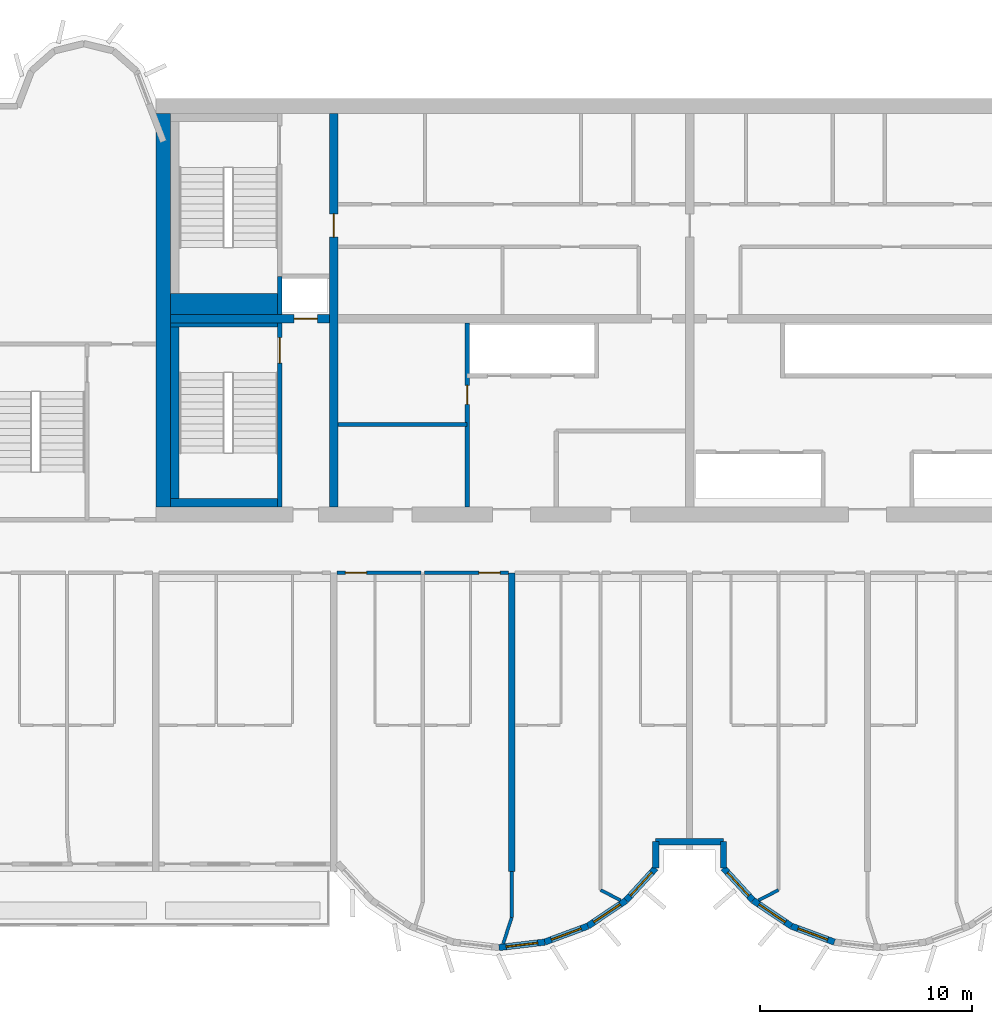
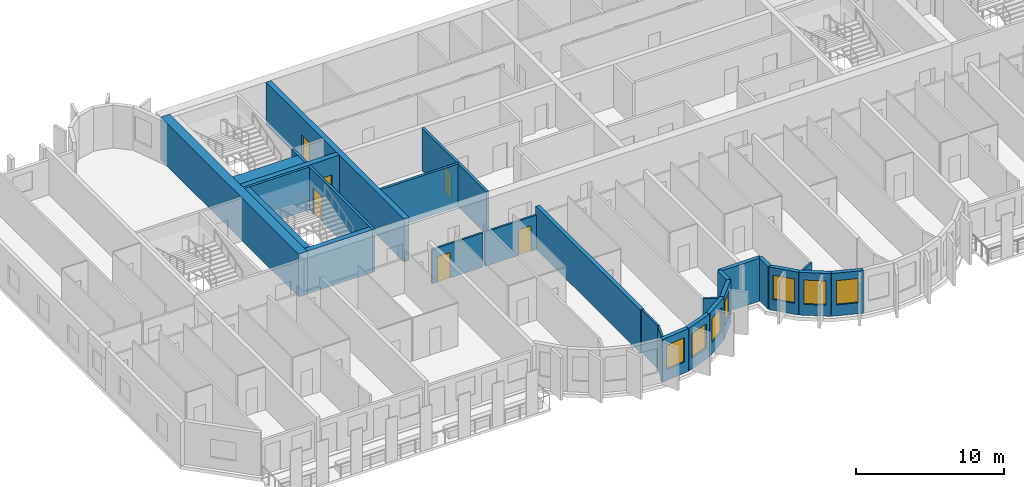
# One storey, part 4 of 13: 28 walls, 7 windows, 6 doors, 13 openings.
"""IFC4 building model written with IfcOpenShell, lengths in metres."""

from ifc_helpers import new_model, si_unit, direction, frame, frame_2d, origin, place, context, subcontext, project, spatial, rectangle, extrude, source, transform, mapped, material, layer, layer_set, type_object, element, fill, save


model = new_model("IFC4")

# Units and contexts
model_context = context("Model", 3, precision=1e-05, world=origin(), true_north=direction((0.0, 1.0)))
body_context = subcontext(model_context, "Body", "Model", "MODEL_VIEW")
ifc_project = project(units=[si_unit("LENGTHUNIT", "METRE"), si_unit("AREAUNIT", "SQUARE_METRE"), si_unit("VOLUMEUNIT", "CUBIC_METRE"), si_unit("PLANEANGLEUNIT", "RADIAN"), si_unit("MASSUNIT", "GRAM", prefix="KILO")], contexts=[model_context])

# Site, building, storey
site_placement = place(None, origin())
site = spatial("IfcSite", under=ifc_project, at=site_placement, CompositionType="ELEMENT")
building_placement = place(site_placement, origin())
building = spatial("IfcBuilding", under=site, at=building_placement, Name="Vanashikhar Sky Hotel", CompositionType="ELEMENT")
storey_placement = place(building_placement, frame((0.0, 0.0, 174.39990234375)))
storey = spatial("IfcBuildingStorey", under=building, at=storey_placement, Name="L42", CompositionType="ELEMENT", Elevation=174.39990234375)

# Wall, opening, door
ifc_material_1 = material(Name="Concrete M60", Category="concrete")
ifc_layer_1 = layer(ifc_material_1, 0.39990234375)
ifc_layer_set_1 = layer_set([ifc_layer_1], Name="RC core inner wall 400 Concrete M60")
wall_type_1 = type_object("IfcWallType", Name="RC core inner wall 400 Concrete M60", PredefinedType="SHEAR", material=ifc_layer_set_1)
shared_shape_1 = source(origin(), body_context, "Body", "SweptSolid", [
    extrude(rectangle(XDim=18.60009765625, YDim=0.39990234375, at=frame_2d((9.300048828125, 0.0))), origin(), (0.0, 0.0, 1.0), 3.52001953125),
])
wall_1_placement = place(storey_placement, frame((33.60009765625, 22.699951171875, 0.0), z_axis=(0.0, 0.0, 1.0), x_axis=(0.0, 1.0, 0.0)))
wall_1 = element("IfcWall", 1, at=wall_1_placement, inside=storey, type_object=wall_type_1, Name="KW-L42-KX1", PredefinedType="SHEAR", context=body_context, shape_type="MappedRepresentation", body=[
    mapped(shared_shape_1, transform((0.0, 0.0, 0.0), scale=1.0)),
])
shared_shape_2 = source(origin(), body_context, "Body", "SweptSolid", [
    extrude(rectangle(XDim=1.10009765625, YDim=2.10009765625, at=frame_2d((0.550048828125, 1.050048828125))), frame((0.0, 0.2099609375, 0.0), z_axis=(0.0, -1.0, 0.0), x_axis=(1.0, 0.0, 0.0)), (0.0, 0.0, 1.0), 0.419921875),
])
opening_1_placement = place(wall_1_placement, frame((12.75, 0.0, 0.0)))
opening_1 = element("IfcOpeningElement", 2, at=opening_1_placement, cuts=wall_1, Name="Opening DC-4-C", PredefinedType="OPENING", context=body_context, shape_type="MappedRepresentation", body=[
    mapped(shared_shape_2, transform((0.0, 0.0, 0.0), scale=1.0)),
])
ifc_material_2 = material(Name="Steel", Category="steel")
door_type_1 = type_object("IfcDoorType", Name="Service door 1100 FD60", OperationType="NOTDEFINED", PredefinedType="DOOR", material=ifc_material_2)
shared_shape_3 = source(origin(), body_context, "Body", "SweptSolid", [
    extrude(rectangle(XDim=1.10009765625, YDim=2.10009765625, at=frame_2d((0.550048828125, 1.050048828125))), frame((0.0, 0.02490234375, 0.0), z_axis=(0.0, -1.0, 0.0), x_axis=(1.0, 0.0, 0.0)), (0.0, 0.0, 1.0), 0.050048828125),
])
door_1_placement = place(opening_1_placement, origin())
door_1 = element("IfcDoor", 3, at=door_1_placement, inside=storey, type_object=door_type_1, Name="Service door 1100 FD60", OperationType="SINGLE_SWING_RIGHT", OverallHeight=2.10009765625, OverallWidth=1.10009765625, PredefinedType="DOOR", context=body_context, shape_type="MappedRepresentation", body=[
    mapped(shared_shape_3, transform((0.0, 0.0, 0.0), scale=1.0)),
])
fill(opening_1, door_1)

# Wall
ifc_layer_2 = layer(ifc_material_1, 0.699951171875)
ifc_layer_set_2 = layer_set([ifc_layer_2], Name="RC core shell wall 700 Concrete M60")
wall_type_2 = type_object("IfcWallType", Name="RC core shell wall 700 Concrete M60", PredefinedType="SHEAR", material=ifc_layer_set_2)
shared_shape_4 = source(origin(), body_context, "Body", "SweptSolid", [
    extrude(rectangle(XDim=18.60009765625, YDim=0.699951171875, at=frame_2d((9.300048828125, 0.0))), origin(), (0.0, 0.0, 1.0), 3.52001953125),
])
wall_2_placement = place(storey_placement, frame((25.550048828125, 22.699951171875, 0.0), z_axis=(0.0, 0.0, 1.0), x_axis=(0.0, 1.0, 0.0)))
element("IfcWall", 4, at=wall_2_placement, inside=storey, type_object=wall_type_2, Name="KW-L42-KW", PredefinedType="SHEAR", context=body_context, shape_type="MappedRepresentation", body=[
    mapped(shared_shape_4, transform((0.0, 0.0, 0.0), scale=1.0)),
])

# Wall, opening, door
shared_shape_5 = source(origin(), body_context, "Body", "SweptSolid", [
    extrude(rectangle(XDim=7.5, YDim=0.39990234375, at=frame_2d((3.75, 0.0))), origin(), (0.0, 0.0, 1.0), 3.52001953125),
])
wall_3_placement = place(storey_placement, frame((25.89990234375, 31.60009765625, 0.0), z_axis=(0.0, 0.0, 1.0), x_axis=(1.0, 0.0, 0.0)))
wall_3 = element("IfcWall", 5, at=wall_3_placement, inside=storey, type_object=wall_type_1, Name="KW-L42-KY1", PredefinedType="SHEAR", context=body_context, shape_type="MappedRepresentation", body=[
    mapped(shared_shape_5, transform((0.0, 0.0, 0.0), scale=1.0)),
])
opening_2_placement = place(wall_3_placement, frame((5.824951171875, 0.0, 0.0)))
opening_2 = element("IfcOpeningElement", 6, at=opening_2_placement, cuts=wall_3, Name="Opening LD", PredefinedType="OPENING", context=body_context, shape_type="MappedRepresentation", body=[
    mapped(shared_shape_2, transform((0.0, 0.0, 0.0), scale=1.0)),
])
ifc_material_3 = material(Name="Stainless steel", Category="steel")
door_type_2 = type_object("IfcDoorType", Name="Lift landing door 1100", OperationType="NOTDEFINED", PredefinedType="DOOR", material=ifc_material_3)
door_2_placement = place(opening_2_placement, origin())
door_2 = element("IfcDoor", 7, at=door_2_placement, inside=storey, type_object=door_type_2, Name="Lift landing door 1100", OperationType="SLIDING_TO_LEFT", OverallHeight=2.10009765625, OverallWidth=1.10009765625, PredefinedType="DOOR", context=body_context, shape_type="MappedRepresentation", body=[
    mapped(shared_shape_3, transform((0.0, 0.0, 0.0), scale=1.0)),
])
fill(opening_2, door_2)

# Wall
ifc_layer_3 = layer(ifc_material_1, 0.300048828125)
ifc_layer_set_3 = layer_set([ifc_layer_3], Name="RC shear wall 300 Concrete M60")
wall_type_3 = type_object("IfcWallType", Name="RC shear wall 300 Concrete M60", PredefinedType="SHEAR", material=ifc_layer_set_3)
shared_shape_6 = source(origin(), body_context, "Body", "SweptSolid", [
    extrude(rectangle(XDim=14.10009765625, YDim=0.300048828125, at=frame_2d((7.050048828125, 0.0))), origin(), (0.0, 0.0, 1.0), 3.52001953125),
])
wall_4_placement = place(storey_placement, frame((42.0, 5.5, 0.0), z_axis=(0.0, 0.0, 1.0), x_axis=(0.0, 1.0, 0.0)))
element("IfcWall", 8, at=wall_4_placement, inside=storey, type_object=wall_type_3, Name="CW-L42-XW06-1", PredefinedType="SHEAR", context=body_context, shape_type="MappedRepresentation", body=[
    mapped(shared_shape_6, transform((0.0, 0.0, 0.0), scale=1.0)),
])

# Wall, opening, window
ifc_material_4 = material(Name="Concrete M50", Category="concrete")
ifc_layer_4 = layer(ifc_material_4, 0.300048828125)
ifc_layer_set_4 = layer_set([ifc_layer_4], Name="Lobe wall 300")
wall_type_4 = type_object("IfcWallType", Name="Lobe wall 300", PredefinedType="SOLIDWALL", material=ifc_layer_set_4)
shared_shape_7 = source(origin(), body_context, "Body", "SweptSolid", [
    extrude(rectangle(XDim=2.17578125, YDim=0.300048828125, at=frame_2d((1.087890625, 0.0))), origin(), (0.0, 0.0, 1.0), 3.52001953125),
])
wall_5_placement = place(storey_placement, frame((45.59912109375, 2.91650390625, 0.0), z_axis=(0.0, 0.0, 1.0), x_axis=(0.829625727223, 0.558319937607, 0.0)))
wall_5 = element("IfcWall", 9, at=wall_5_placement, inside=storey, type_object=wall_type_4, Name="Lobe wall", PredefinedType="SOLIDWALL", context=body_context, shape_type="MappedRepresentation", body=[
    mapped(shared_shape_7, transform((0.0, 0.0, 0.0), scale=1.0)),
])
shared_shape_8 = source(origin(), body_context, "Body", "SweptSolid", [
    extrude(rectangle(XDim=1.5, YDim=2.0, at=frame_2d((0.75, 1.0))), frame((0.0, 0.16015625, 0.0), z_axis=(0.0, -1.0, 0.0), x_axis=(1.0, 0.0, 0.0)), (0.0, 0.0, 1.0), 0.320068359375),
])
opening_3_placement = place(wall_5_placement, frame((0.337890625, 0.0, 0.89990234375)))
opening_3 = element("IfcOpeningElement", 10, at=opening_3_placement, cuts=wall_5, Name="Opening WN-2", PredefinedType="OPENING", context=body_context, shape_type="MappedRepresentation", body=[
    mapped(shared_shape_8, transform((0.0, 0.0, 0.0), scale=1.0)),
])
ifc_material_5 = material(Name="Glass", Category="glass")
window_type = type_object("IfcWindowType", Name="Lobe window 1500 x 2000", PartitioningType="SINGLE_PANEL", PredefinedType="WINDOW", material=ifc_material_5)
shared_shape_9 = source(origin(), body_context, "Body", "SweptSolid", [
    extrude(rectangle(XDim=1.5, YDim=2.0, at=frame_2d((0.75, 1.0))), frame((0.0, 0.030029296875, 0.0), z_axis=(0.0, -1.0, 0.0), x_axis=(1.0, 0.0, 0.0)), (0.0, 0.0, 1.0), 0.06005859375),
])
window_1_placement = place(opening_3_placement, origin())
window_1 = element("IfcWindow", 11, at=window_1_placement, inside=storey, type_object=window_type, Name="Window WN-2", OverallHeight=2.0, OverallWidth=1.5, PartitioningType="SINGLE_PANEL", PredefinedType="WINDOW", context=body_context, shape_type="MappedRepresentation", body=[
    mapped(shared_shape_9, transform((0.0, 0.0, 0.0), scale=1.0)),
])
fill(opening_3, window_1)

wall_6_placement = place(storey_placement, frame((53.395751953125, 4.13134765625, 0.0), z_axis=(0.0, 0.0, 1.0), x_axis=(0.829590746428, -0.558371913192, 0.0)))
wall_6 = element("IfcWall", 12, at=wall_6_placement, inside=storey, type_object=wall_type_4, Name="Lobe wall", PredefinedType="SOLIDWALL", context=body_context, shape_type="MappedRepresentation", body=[
    mapped(shared_shape_7, transform((0.0, 0.0, 0.0), scale=1.0)),
])
opening_4_placement = place(wall_6_placement, frame((0.337890625, 0.0, 0.89990234375)))
opening_4 = element("IfcOpeningElement", 13, at=opening_4_placement, cuts=wall_6, Name="Opening WN-2", PredefinedType="OPENING", context=body_context, shape_type="MappedRepresentation", body=[
    mapped(shared_shape_8, transform((0.0, 0.0, 0.0), scale=1.0)),
])
window_2_placement = place(opening_4_placement, origin())
window_2 = element("IfcWindow", 14, at=window_2_placement, inside=storey, type_object=window_type, Name="Window WN-2", OverallHeight=2.0, OverallWidth=1.5, PartitioningType="SINGLE_PANEL", PredefinedType="WINDOW", context=body_context, shape_type="MappedRepresentation", body=[
    mapped(shared_shape_9, transform((0.0, 0.0, 0.0), scale=1.0)),
])
fill(opening_4, window_2)

wall_7_placement = place(storey_placement, frame((55.20068359375, 2.91650390625, 0.0), z_axis=(0.0, 0.0, 1.0), x_axis=(0.93754555999, -0.347862505801, 0.0)))
wall_7 = element("IfcWall", 15, at=wall_7_placement, inside=storey, type_object=wall_type_4, Name="Lobe wall", PredefinedType="SOLIDWALL", context=body_context, shape_type="MappedRepresentation", body=[
    mapped(shared_shape_7, transform((0.0, 0.0, 0.0), scale=1.0)),
])
opening_5_placement = place(wall_7_placement, frame((0.337890625, 0.0, 0.89990234375)))
opening_5 = element("IfcOpeningElement", 16, at=opening_5_placement, cuts=wall_7, Name="Opening WN-2", PredefinedType="OPENING", context=body_context, shape_type="MappedRepresentation", body=[
    mapped(shared_shape_8, transform((0.0, 0.0, 0.0), scale=1.0)),
])
window_3_placement = place(opening_5_placement, origin())
window_3 = element("IfcWindow", 17, at=window_3_placement, inside=storey, type_object=window_type, Name="Window WN-2", OverallHeight=2.0, OverallWidth=1.5, PartitioningType="SINGLE_PANEL", PredefinedType="WINDOW", context=body_context, shape_type="MappedRepresentation", body=[
    mapped(shared_shape_9, transform((0.0, 0.0, 0.0), scale=1.0)),
])
fill(opening_5, window_3)

shared_shape_10 = source(origin(), body_context, "Body", "SweptSolid", [
    extrude(rectangle(XDim=2.1748046875, YDim=0.300048828125, at=frame_2d((1.08740234375, 0.0))), origin(), (0.0, 0.0, 1.0), 3.52001953125),
])
wall_8_placement = place(storey_placement, frame((41.39990234375, 1.90283203125, 0.0), z_axis=(0.0, 0.0, 1.0), x_axis=(0.993002698611, 0.118091661648, 0.0)))
wall_8 = element("IfcWall", 18, at=wall_8_placement, inside=storey, type_object=wall_type_4, Name="Lobe wall", PredefinedType="SOLIDWALL", context=body_context, shape_type="MappedRepresentation", body=[
    mapped(shared_shape_10, transform((0.0, 0.0, 0.0), scale=1.0)),
])
opening_6_placement = place(wall_8_placement, frame((0.33740234375, 0.0, 0.89990234375)))
opening_6 = element("IfcOpeningElement", 19, at=opening_6_placement, cuts=wall_8, Name="Opening WN-2", PredefinedType="OPENING", context=body_context, shape_type="MappedRepresentation", body=[
    mapped(shared_shape_8, transform((0.0, 0.0, 0.0), scale=1.0)),
])
window_4_placement = place(opening_6_placement, origin())
window_4 = element("IfcWindow", 20, at=window_4_placement, inside=storey, type_object=window_type, Name="Window WN-2", OverallHeight=2.0, OverallWidth=1.5, PartitioningType="SINGLE_PANEL", PredefinedType="WINDOW", context=body_context, shape_type="MappedRepresentation", body=[
    mapped(shared_shape_9, transform((0.0, 0.0, 0.0), scale=1.0)),
])
fill(opening_6, window_4)

shared_shape_11 = source(origin(), body_context, "Body", "SweptSolid", [
    extrude(rectangle(XDim=2.175537109375, YDim=0.300048828125, at=frame_2d((1.087890625, 0.0))), origin(), (0.0, 0.0, 1.0), 3.52001953125),
])
wall_9_placement = place(storey_placement, frame((43.5595703125, 2.15966796875, 0.0), z_axis=(0.0, 0.0, 1.0), x_axis=(0.937531979054, 0.347899106424, 0.0)))
wall_9 = element("IfcWall", 21, at=wall_9_placement, inside=storey, type_object=wall_type_4, Name="Lobe wall", PredefinedType="SOLIDWALL", context=body_context, shape_type="MappedRepresentation", body=[
    mapped(shared_shape_11, transform((0.0, 0.0, 0.0), scale=1.0)),
])
opening_7_placement = place(wall_9_placement, frame((0.337890625, 0.0, 0.89990234375)))
opening_7 = element("IfcOpeningElement", 22, at=opening_7_placement, cuts=wall_9, Name="Opening WN-2", PredefinedType="OPENING", context=body_context, shape_type="MappedRepresentation", body=[
    mapped(shared_shape_8, transform((0.0, 0.0, 0.0), scale=1.0)),
])
window_5_placement = place(opening_7_placement, origin())
window_5 = element("IfcWindow", 23, at=window_5_placement, inside=storey, type_object=window_type, Name="Window WN-2", OverallHeight=2.0, OverallWidth=1.5, PartitioningType="SINGLE_PANEL", PredefinedType="WINDOW", context=body_context, shape_type="MappedRepresentation", body=[
    mapped(shared_shape_9, transform((0.0, 0.0, 0.0), scale=1.0)),
])
fill(opening_7, window_5)

shared_shape_12 = source(origin(), body_context, "Body", "SweptSolid", [
    extrude(rectangle(XDim=2.066650390625, YDim=0.300048828125, at=frame_2d((1.033203125, 0.0))), origin(), (0.0, 0.0, 1.0), 3.52001953125),
])
wall_10_placement = place(storey_placement, frame((47.404296875, 4.13134765625, 0.0), z_axis=(0.0, 0.0, 1.0), x_axis=(0.675355439877, 0.737492393065, 0.0)))
wall_10 = element("IfcWall", 24, at=wall_10_placement, inside=storey, type_object=wall_type_4, Name="Lobe wall", PredefinedType="SOLIDWALL", context=body_context, shape_type="MappedRepresentation", body=[
    mapped(shared_shape_12, transform((0.0, 0.0, 0.0), scale=1.0)),
])
opening_8_placement = place(wall_10_placement, frame((0.283447265625, 0.0, 0.89990234375)))
opening_8 = element("IfcOpeningElement", 25, at=opening_8_placement, cuts=wall_10, Name="Opening WN-2", PredefinedType="OPENING", context=body_context, shape_type="MappedRepresentation", body=[
    mapped(shared_shape_8, transform((0.0, 0.0, 0.0), scale=1.0)),
])
window_6_placement = place(opening_8_placement, origin())
window_6 = element("IfcWindow", 26, at=window_6_placement, inside=storey, type_object=window_type, Name="Window WN-2", OverallHeight=2.0, OverallWidth=1.5, PartitioningType="SINGLE_PANEL", PredefinedType="WINDOW", context=body_context, shape_type="MappedRepresentation", body=[
    mapped(shared_shape_9, transform((0.0, 0.0, 0.0), scale=1.0)),
])
fill(opening_8, window_6)

wall_11_placement = place(storey_placement, frame((52.0, 5.655517578125, 0.0), z_axis=(0.0, 0.0, 1.0), x_axis=(0.675355439877, -0.737492393065, 0.0)))
wall_11 = element("IfcWall", 27, at=wall_11_placement, inside=storey, type_object=wall_type_4, Name="Lobe wall", PredefinedType="SOLIDWALL", context=body_context, shape_type="MappedRepresentation", body=[
    mapped(shared_shape_12, transform((0.0, 0.0, 0.0), scale=1.0)),
])
opening_9_placement = place(wall_11_placement, frame((0.283447265625, 0.0, 0.89990234375)))
opening_9 = element("IfcOpeningElement", 28, at=opening_9_placement, cuts=wall_11, Name="Opening WN-2", PredefinedType="OPENING", context=body_context, shape_type="MappedRepresentation", body=[
    mapped(shared_shape_8, transform((0.0, 0.0, 0.0), scale=1.0)),
])
window_7_placement = place(opening_9_placement, origin())
window_7 = element("IfcWindow", 29, at=window_7_placement, inside=storey, type_object=window_type, Name="Window WN-2", OverallHeight=2.0, OverallWidth=1.5, PartitioningType="SINGLE_PANEL", PredefinedType="WINDOW", context=body_context, shape_type="MappedRepresentation", body=[
    mapped(shared_shape_9, transform((0.0, 0.0, 0.0), scale=1.0)),
])
fill(opening_9, window_7)

# Walls
shared_shape_13 = source(origin(), body_context, "Body", "SweptSolid", [
    extrude(rectangle(XDim=1.244384765625, YDim=0.300048828125, at=frame_2d((0.6220703125, 0.0))), origin(), (0.0, 0.0, 1.0), 3.52001953125),
])
for number, where, z_axis, x_axis, name in (
    (30, (48.800048828125, 5.655517578125, 0.0), (0.0, 0.0, 1.0), (0.0, 1.0, 0.0), "Groove wall"),
    (31, (52.0, 6.89990234375, 0.0), (0.0, 0.0, 1.0), (0.0, -1.0, 0.0), "Groove wall"),
):
    element("IfcWall", number, at=place(storey_placement, frame(where, z_axis=z_axis, x_axis=x_axis)), inside=storey, type_object=wall_type_4, Name=name, PredefinedType="SOLIDWALL", context=body_context, shape_type="MappedRepresentation", body=[
        mapped(shared_shape_13, transform((0.0, 0.0, 0.0), scale=1.0)),
    ])
shared_shape_14 = source(origin(), body_context, "Body", "SweptSolid", [
    extrude(rectangle(XDim=3.199951171875, YDim=0.300048828125, at=frame_2d((1.60009765625, 0.0))), origin(), (0.0, 0.0, 1.0), 3.52001953125),
])
wall_12_placement = place(storey_placement, frame((48.800048828125, 6.89990234375, 0.0), z_axis=(0.0, 0.0, 1.0), x_axis=(1.0, 0.0, 0.0)))
element("IfcWall", 32, at=wall_12_placement, inside=storey, type_object=wall_type_4, Name="Groove wall", PredefinedType="SOLIDWALL", context=body_context, shape_type="MappedRepresentation", body=[
    mapped(shared_shape_14, transform((0.0, 0.0, 0.0), scale=1.0)),
])

# Wall, opening, door
ifc_material_6 = material(Name="Gypsum board partition")
ifc_layer_5 = layer(ifc_material_6, 0.14990234375)
ifc_layer_set_5 = layer_set([ifc_layer_5], Name="Service partition 150")
wall_type_5 = type_object("IfcWallType", Name="Service partition 150", PredefinedType="PARTITIONING", material=ifc_layer_set_5)
shared_shape_15 = source(origin(), body_context, "Body", "SweptSolid", [
    extrude(rectangle(XDim=8.699951171875, YDim=0.199951171875, at=frame_2d((4.35009765625, 0.0))), origin(), (0.0, 0.0, 1.0), 3.52001953125),
])
wall_13_placement = place(storey_placement, frame((39.89990234375, 22.699951171875, 0.0), z_axis=(0.0, 0.0, 1.0), x_axis=(0.0, 1.0, 0.0)))
wall_13 = element("IfcWall", 33, at=wall_13_placement, inside=storey, type_object=wall_type_5, Name="Service partition 150", PredefinedType="PARTITIONING", context=body_context, shape_type="MappedRepresentation", body=[
    mapped(shared_shape_15, transform((0.0, 0.0, 0.0), scale=1.0)),
])
shared_shape_16 = source(origin(), body_context, "Body", "SweptSolid", [
    extrude(rectangle(XDim=0.89990234375, YDim=2.10009765625, at=frame_2d((0.449951171875, 1.050048828125))), frame((0.0, 0.10986328125, 0.0), z_axis=(0.0, -1.0, 0.0), x_axis=(1.0, 0.0, 0.0)), (0.0, 0.0, 1.0), 0.219970703125),
])
opening_10_placement = place(wall_13_placement, frame((4.85009765625, 0.0, 0.0)))
opening_10 = element("IfcOpeningElement", 34, at=opening_10_placement, cuts=wall_13, Name="Opening DC-4-A", PredefinedType="OPENING", context=body_context, shape_type="MappedRepresentation", body=[
    mapped(shared_shape_16, transform((0.0, 0.0, 0.0), scale=1.0)),
])
door_type_3 = type_object("IfcDoorType", Name="Service door 900 FD60", OperationType="NOTDEFINED", PredefinedType="DOOR", material=ifc_material_2)
shared_shape_17 = source(origin(), body_context, "Body", "SweptSolid", [
    extrude(rectangle(XDim=0.89990234375, YDim=2.10009765625, at=frame_2d((0.449951171875, 1.050048828125))), frame((0.0, 0.02490234375, 0.0), z_axis=(0.0, -1.0, 0.0), x_axis=(1.0, 0.0, 0.0)), (0.0, 0.0, 1.0), 0.050048828125),
])
door_3_placement = place(opening_10_placement, origin())
door_3 = element("IfcDoor", 35, at=door_3_placement, inside=storey, type_object=door_type_3, Name="Service door 900 FD60", OperationType="SINGLE_SWING_LEFT", OverallHeight=2.10009765625, OverallWidth=0.89990234375, PredefinedType="DOOR", context=body_context, shape_type="MappedRepresentation", body=[
    mapped(shared_shape_17, transform((0.0, 0.0, 0.0), scale=1.0)),
])
fill(opening_10, door_3)

# Wall
shared_shape_18 = source(origin(), body_context, "Body", "SweptSolid", [
    extrude(rectangle(XDim=6.099853515625, YDim=0.199951171875, at=frame_2d((3.0498046875, 0.0))), origin(), (0.0, 0.0, 1.0), 3.52001953125),
])
wall_14_placement = place(storey_placement, frame((33.800048828125, 26.60009765625, 0.0), z_axis=(0.0, 0.0, 1.0), x_axis=(1.0, 0.0, 0.0)))
element("IfcWall", 36, at=wall_14_placement, inside=storey, type_object=wall_type_5, Name="Service partition 150", PredefinedType="PARTITIONING", context=body_context, shape_type="MappedRepresentation", body=[
    mapped(shared_shape_18, transform((0.0, 0.0, 0.0), scale=1.0)),
])

# Wall, opening, door
ifc_layer_6 = layer(ifc_material_4, 0.199951171875)
ifc_layer_set_6 = layer_set([ifc_layer_6], Name="Stair wall 200")
wall_type_6 = type_object("IfcWallType", Name="Stair wall 200", PredefinedType="SOLIDWALL", material=ifc_layer_set_6)
shared_shape_19 = source(origin(), body_context, "Body", "SweptSolid", [
    extrude(rectangle(XDim=8.699951171875, YDim=0.199951171875, at=frame_2d((4.35009765625, 0.0))), origin(), (0.0, 0.0, 1.0), 3.52001953125),
])
wall_15_placement = place(storey_placement, frame((31.050048828125, 22.699951171875, 0.0), z_axis=(0.0, 0.0, 1.0), x_axis=(0.0, 1.0, 0.0)))
wall_15 = element("IfcWall", 37, at=wall_15_placement, inside=storey, type_object=wall_type_6, Name="Stair wall 200", PredefinedType="SOLIDWALL", context=body_context, shape_type="MappedRepresentation", body=[
    mapped(shared_shape_19, transform((0.0, 0.0, 0.0), scale=1.0)),
])
shared_shape_20 = source(origin(), body_context, "Body", "SweptSolid", [
    extrude(rectangle(XDim=1.199951171875, YDim=2.10009765625, at=frame_2d((0.60009765625, 1.050048828125))), frame((0.0, 0.10986328125, 0.0), z_axis=(0.0, -1.0, 0.0), x_axis=(1.0, 0.0, 0.0)), (0.0, 0.0, 1.0), 0.219970703125),
])
opening_11_placement = place(wall_15_placement, frame((6.800048828125, 0.0, 0.0)))
opening_11 = element("IfcOpeningElement", 38, at=opening_11_placement, cuts=wall_15, Name="Opening DC-1", PredefinedType="OPENING", context=body_context, shape_type="MappedRepresentation", body=[
    mapped(shared_shape_20, transform((0.0, 0.0, 0.0), scale=1.0)),
])
door_type_4 = type_object("IfcDoorType", Name="Stair door 1200 FD120", OperationType="NOTDEFINED", PredefinedType="DOOR", material=ifc_material_2)
shared_shape_21 = source(origin(), body_context, "Body", "SweptSolid", [
    extrude(rectangle(XDim=1.199951171875, YDim=2.10009765625, at=frame_2d((0.60009765625, 1.050048828125))), frame((0.0, 0.02490234375, 0.0), z_axis=(0.0, -1.0, 0.0), x_axis=(1.0, 0.0, 0.0)), (0.0, 0.0, 1.0), 0.050048828125),
])
door_4_placement = place(opening_11_placement, origin())
door_4 = element("IfcDoor", 39, at=door_4_placement, inside=storey, type_object=door_type_4, Name="Stair door 1200 FD120", OperationType="SINGLE_SWING_RIGHT", OverallHeight=2.10009765625, OverallWidth=1.199951171875, PredefinedType="DOOR", context=body_context, shape_type="MappedRepresentation", body=[
    mapped(shared_shape_21, transform((0.0, 0.0, 0.0), scale=1.0)),
])
fill(opening_11, door_4)

# Walls
ifc_material_7 = material(Name="Concrete M40", Category="concrete")
ifc_layer_7 = layer(ifc_material_7, 0.199951171875)
ifc_layer_set_7 = layer_set([ifc_layer_7], Name="Shaft wall 200")
wall_type_7 = type_object("IfcWallType", Name="Shaft wall 200", PredefinedType="SOLIDWALL", material=ifc_layer_set_7)
shared_shape_22 = source(origin(), body_context, "Body", "SweptSolid", [
    extrude(rectangle(XDim=1.800048828125, YDim=0.199951171875, at=frame_2d((0.89990234375, 0.0))), origin(), (0.0, 0.0, 1.0), 3.52001953125),
])
wall_16_placement = place(storey_placement, frame((31.050048828125, 31.800048828125, 0.0), z_axis=(0.0, 0.0, 1.0), x_axis=(0.0, 1.0, 0.0)))
element("IfcWall", 40, at=wall_16_placement, inside=storey, type_object=wall_type_7, Name="Shaft wall 200", PredefinedType="SOLIDWALL", context=body_context, shape_type="MappedRepresentation", body=[
    mapped(shared_shape_22, transform((0.0, 0.0, 0.0), scale=1.0)),
])
ifc_layer_8 = layer(ifc_material_4, 0.39990234375)
ifc_layer_set_8 = layer_set([ifc_layer_8], Name="Stair infill wall 400")
wall_type_8 = type_object("IfcWallType", Name="Stair infill wall 400", PredefinedType="SOLIDWALL", material=ifc_layer_set_8)
shared_shape_23 = source(origin(), body_context, "Body", "SweptSolid", [
    extrude(rectangle(XDim=5.050048828125, YDim=0.39990234375, at=frame_2d((2.52490234375, 0.0))), origin(), (0.0, 0.0, 1.0), 3.52001953125),
])
wall_17_placement = place(storey_placement, frame((25.89990234375, 22.89990234375, 0.0), z_axis=(0.0, 0.0, 1.0), x_axis=(1.0, 0.0, 0.0)))
element("IfcWall", 41, at=wall_17_placement, inside=storey, type_object=wall_type_8, Name="Stair infill wall 400", PredefinedType="SOLIDWALL", context=body_context, shape_type="MappedRepresentation", body=[
    mapped(shared_shape_23, transform((0.0, 0.0, 0.0), scale=1.0)),
])
ifc_layer_9 = layer(ifc_material_4, 0.199951171875)
ifc_layer_set_9 = layer_set([ifc_layer_9], Name="Stair infill wall 200")
wall_type_9 = type_object("IfcWallType", Name="Stair infill wall 200", PredefinedType="SOLIDWALL", material=ifc_layer_set_9)
shared_shape_24 = source(origin(), body_context, "Body", "SweptSolid", [
    extrude(rectangle(XDim=5.050048828125, YDim=0.199951171875, at=frame_2d((2.52490234375, 0.0))), origin(), (0.0, 0.0, 1.0), 3.52001953125),
])
wall_18_placement = place(storey_placement, frame((25.89990234375, 31.300048828125, 0.0), z_axis=(0.0, 0.0, 1.0), x_axis=(1.0, 0.0, 0.0)))
element("IfcWall", 42, at=wall_18_placement, inside=storey, type_object=wall_type_9, Name="Stair infill wall 200", PredefinedType="SOLIDWALL", context=body_context, shape_type="MappedRepresentation", body=[
    mapped(shared_shape_24, transform((0.0, 0.0, 0.0), scale=1.0)),
])
shared_shape_25 = source(origin(), body_context, "Body", "SweptSolid", [
    extrude(rectangle(XDim=8.099853515625, YDim=0.39990234375, at=frame_2d((4.0498046875, 0.0))), origin(), (0.0, 0.0, 1.0), 3.52001953125),
])
wall_19_placement = place(storey_placement, frame((26.10009765625, 23.10009765625, 0.0), z_axis=(0.0, 0.0, 1.0), x_axis=(0.0, 1.0, 0.0)))
element("IfcWall", 43, at=wall_19_placement, inside=storey, type_object=wall_type_8, Name="Stair infill wall 400", PredefinedType="SOLIDWALL", context=body_context, shape_type="MappedRepresentation", body=[
    mapped(shared_shape_25, transform((0.0, 0.0, 0.0), scale=1.0)),
])
ifc_layer_10 = layer(ifc_material_4, 1.0)
ifc_layer_set_10 = layer_set([ifc_layer_10], Name="Stair infill wall 1000")
wall_type_10 = type_object("IfcWallType", Name="Stair infill wall 1000", PredefinedType="SOLIDWALL", material=ifc_layer_set_10)
shared_shape_26 = source(origin(), body_context, "Body", "SweptSolid", [
    extrude(rectangle(XDim=5.050048828125, YDim=1.0, at=frame_2d((2.52490234375, 0.0))), origin(), (0.0, 0.0, 1.0), 3.52001953125),
])
wall_20_placement = place(storey_placement, frame((25.89990234375, 32.300048828125, 0.0), z_axis=(0.0, 0.0, 1.0), x_axis=(1.0, 0.0, 0.0)))
element("IfcWall", 44, at=wall_20_placement, inside=storey, type_object=wall_type_10, Name="Stair infill wall 1000", PredefinedType="SOLIDWALL", context=body_context, shape_type="MappedRepresentation", body=[
    mapped(shared_shape_26, transform((0.0, 0.0, 0.0), scale=1.0)),
])
ifc_material_8 = material(Name="Gypsum plasterboard partition")
ifc_layer_11 = layer(ifc_material_8, 0.14990234375)
ifc_layer_set_11 = layer_set([ifc_layer_11], Name="Corridor and demising partition 150")
wall_type_11 = type_object("IfcWallType", Name="Corridor and demising partition 150", PredefinedType="PARTITIONING", material=ifc_layer_set_11)
shared_shape_27 = source(origin(), body_context, "Body", "SweptSolid", [
    extrude(rectangle(XDim=2.177978515625, YDim=0.14990234375, at=frame_2d((1.0888671875, 0.0))), origin(), (0.0, 0.0, 1.0), 3.52001953125),
])
wall_21_placement = place(storey_placement, frame((42.0, 3.322021484375, 0.0), z_axis=(0.0, 0.0, 1.0), x_axis=(0.0, 1.0, 0.0)))
element("IfcWall", 45, at=wall_21_placement, inside=storey, type_object=wall_type_11, Name="W-L42-PW069", PredefinedType="PARTITIONING", context=body_context, shape_type="MappedRepresentation", body=[
    mapped(shared_shape_27, transform((0.0, 0.0, 0.0), scale=1.0)),
])
shared_shape_28 = source(origin(), body_context, "Body", "SweptSolid", [
    extrude(rectangle(XDim=1.0576171875, YDim=0.14990234375, at=frame_2d((0.52880859375, 0.0))), origin(), (0.0, 0.0, 1.0), 3.52001953125),
])
wall_22_placement = place(storey_placement, frame((47.139892578125, 4.134033203125, 0.0), z_axis=(0.0, 0.0, 1.0), x_axis=(-0.888723819054, 0.458442988218, 0.0)))
element("IfcWall", 46, at=wall_22_placement, inside=storey, type_object=wall_type_11, Name="W-L42-PW033B0", PredefinedType="PARTITIONING", context=body_context, shape_type="MappedRepresentation", body=[
    mapped(shared_shape_28, transform((0.0, 0.0, 0.0), scale=1.0)),
])
shared_shape_29 = source(origin(), body_context, "Body", "SweptSolid", [
    extrude(rectangle(XDim=1.057861328125, YDim=0.14990234375, at=frame_2d((0.52880859375, 0.0))), origin(), (0.0, 0.0, 1.0), 3.52001953125),
])
wall_23_placement = place(storey_placement, frame((53.659912109375, 4.134033203125, 0.0), z_axis=(0.0, 0.0, 1.0), x_axis=(0.888772319209, 0.458348955063, 0.0)))
element("IfcWall", 47, at=wall_23_placement, inside=storey, type_object=wall_type_11, Name="W-L42-PW040B0", PredefinedType="PARTITIONING", context=body_context, shape_type="MappedRepresentation", body=[
    mapped(shared_shape_29, transform((0.0, 0.0, 0.0), scale=1.0)),
])
shared_shape_30 = source(origin(), body_context, "Body", "SweptSolid", [
    extrude(rectangle(XDim=1.308349609375, YDim=0.14990234375, at=frame_2d((0.654296875, 0.0))), origin(), (0.0, 0.0, 1.0), 3.52001953125),
])
wall_24_placement = place(storey_placement, frame((41.597900390625, 2.076904296875, 0.0), z_axis=(0.0, 0.0, 1.0), x_axis=(0.307313512187, 0.951608325535, 0.0)))
element("IfcWall", 48, at=wall_24_placement, inside=storey, type_object=wall_type_11, Name="W-L42-PW069B0", PredefinedType="PARTITIONING", context=body_context, shape_type="MappedRepresentation", body=[
    mapped(shared_shape_30, transform((0.0, 0.0, 0.0), scale=1.0)),
])

# Wall, opening, door
shared_shape_31 = source(origin(), body_context, "Body", "SweptSolid", [
    extrude(rectangle(XDim=3.97509765625, YDim=0.14990234375, at=frame_2d((1.987548828125, 0.0))), origin(), (0.0, 0.0, 1.0), 2.820068359375),
])
wall_25_placement = place(storey_placement, frame((33.75, 19.60009765625, 0.0), z_axis=(0.0, 0.0, 1.0), x_axis=(1.0, 0.0, 0.0)))
wall_25 = element("IfcWall", 49, at=wall_25_placement, inside=storey, type_object=wall_type_11, Name="W-L42-PW022", PredefinedType="PARTITIONING", context=body_context, shape_type="MappedRepresentation", body=[
    mapped(shared_shape_31, transform((0.0, 0.0, 0.0), scale=1.0)),
])
shared_shape_32 = source(origin(), body_context, "Body", "SweptSolid", [
    extrude(rectangle(XDim=1.0, YDim=2.10009765625, at=frame_2d((0.5, 1.050048828125))), frame((0.0, 0.0849609375, 0.0), z_axis=(0.0, -1.0, 0.0), x_axis=(1.0, 0.0, 0.0)), (0.0, 0.0, 1.0), 0.169921875),
])
opening_12_placement = place(wall_25_placement, frame((0.39990234375, 0.0, 0.0)))
opening_12 = element("IfcOpeningElement", 50, at=opening_12_placement, cuts=wall_25, Name="Opening D-01", PredefinedType="OPENING", context=body_context, shape_type="MappedRepresentation", body=[
    mapped(shared_shape_32, transform((0.0, 0.0, 0.0), scale=1.0)),
])
ifc_material_9 = material(Name="Timber fire door", Category="wood")
door_type_5 = type_object("IfcDoorType", Name="Guest entry door 1000 FD30S", OperationType="NOTDEFINED", PredefinedType="DOOR", material=ifc_material_9)
shared_shape_33 = source(origin(), body_context, "Body", "SweptSolid", [
    extrude(rectangle(XDim=1.0, YDim=2.10009765625, at=frame_2d((0.5, 1.050048828125))), frame((0.0, 0.02490234375, 0.0), z_axis=(0.0, -1.0, 0.0), x_axis=(1.0, 0.0, 0.0)), (0.0, 0.0, 1.0), 0.050048828125),
])
door_5_placement = place(opening_12_placement, origin())
door_5 = element("IfcDoor", 51, at=door_5_placement, inside=storey, type_object=door_type_5, Name="D-L42-013", OperationType="SINGLE_SWING_LEFT", OverallHeight=2.10009765625, OverallWidth=1.0, PredefinedType="DOOR", context=body_context, shape_type="MappedRepresentation", body=[
    mapped(shared_shape_33, transform((0.0, 0.0, 0.0), scale=1.0)),
])
fill(opening_12, door_5)

wall_26_placement = place(storey_placement, frame((37.875, 19.60009765625, 0.0), z_axis=(0.0, 0.0, 1.0), x_axis=(1.0, 0.0, 0.0)))
wall_26 = element("IfcWall", 52, at=wall_26_placement, inside=storey, type_object=wall_type_11, Name="W-L42-PW025", PredefinedType="PARTITIONING", context=body_context, shape_type="MappedRepresentation", body=[
    mapped(shared_shape_31, transform((0.0, 0.0, 0.0), scale=1.0)),
])
opening_13_placement = place(wall_26_placement, frame((2.574951171875, 0.0, 0.0)))
opening_13 = element("IfcOpeningElement", 53, at=opening_13_placement, cuts=wall_26, Name="Opening D-01", PredefinedType="OPENING", context=body_context, shape_type="MappedRepresentation", body=[
    mapped(shared_shape_32, transform((0.0, 0.0, 0.0), scale=1.0)),
])
door_6_placement = place(opening_13_placement, origin())
door_6 = element("IfcDoor", 54, at=door_6_placement, inside=storey, type_object=door_type_5, Name="D-L42-015", OperationType="SINGLE_SWING_RIGHT", OverallHeight=2.10009765625, OverallWidth=1.0, PredefinedType="DOOR", context=body_context, shape_type="MappedRepresentation", body=[
    mapped(shared_shape_33, transform((0.0, 0.0, 0.0), scale=1.0)),
])
fill(opening_13, door_6)

save(model, "model.ifc")
